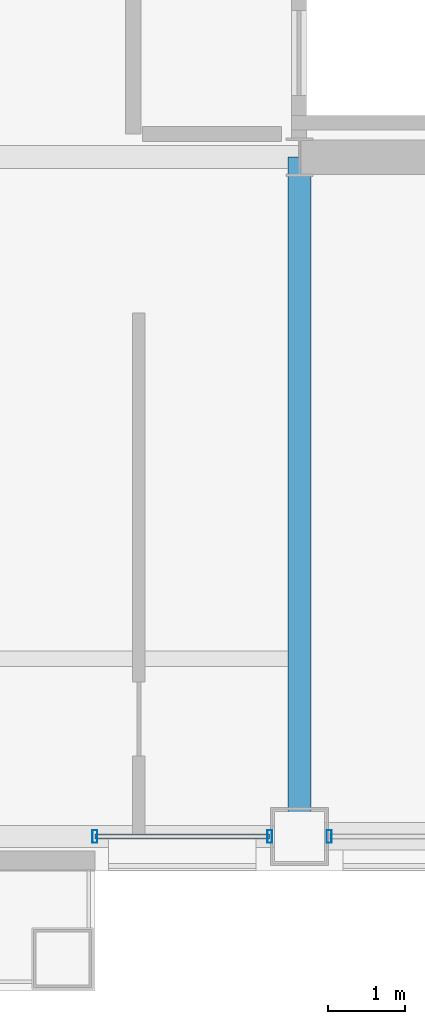
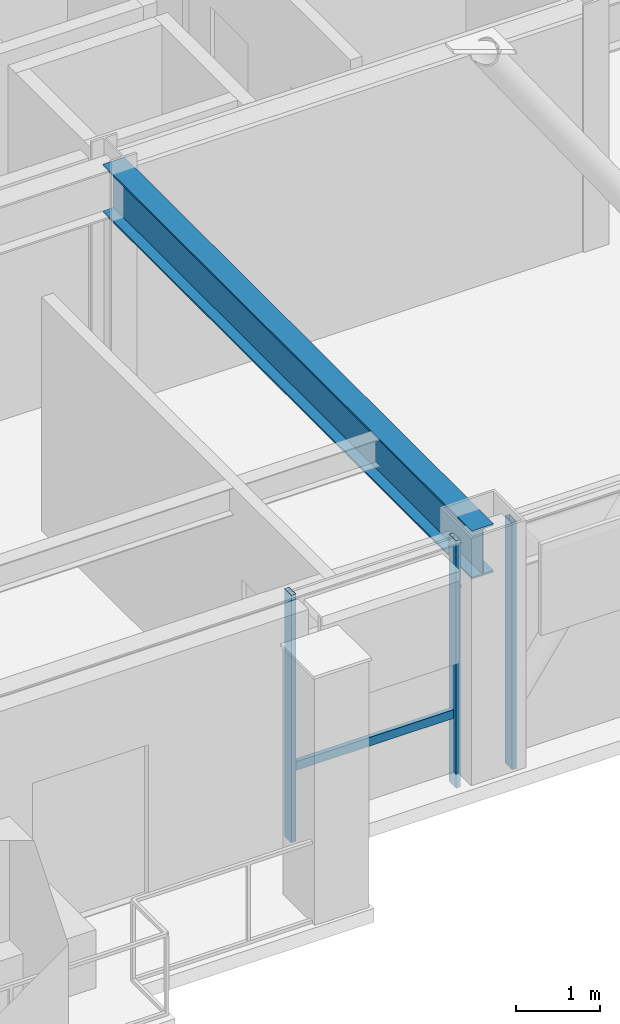
# One storey, part 9 of 32: 4 members, 1 beam, 2 elements without a shape of their own.
"""IFC4 building model written with IfcOpenShell, lengths in metres."""

from ifc_helpers import new_model, si_unit, direction, frame, origin, origin_2d, place, context, subcontext, project, spatial, hollow_rectangle, i_section, extrude, material, layer, layer_set, material_profile, profile_set, type_object, element, aggregate, save


model = new_model("IFC4")

# Units and contexts
model_context = context("Model", 3, precision=1e-05, world=origin(), true_north=direction((0.0, 1.0)))
body_context = subcontext(model_context, "Body", "Model", "MODEL_VIEW")
ifc_project = project(units=[si_unit("LENGTHUNIT", "METRE"), si_unit("AREAUNIT", "SQUARE_METRE"), si_unit("VOLUMEUNIT", "CUBIC_METRE"), si_unit("PLANEANGLEUNIT", "RADIAN"), si_unit("MASSUNIT", "GRAM", prefix="KILO")], contexts=[model_context])

# Site, building, storey
site_placement = place(None, origin())
site = spatial("IfcSite", under=ifc_project, at=site_placement, CompositionType="ELEMENT")
building_placement = place(site_placement, origin())
building = spatial("IfcBuilding", under=site, at=building_placement, Name="Brelmoor Portico Tower", CompositionType="ELEMENT")
storey_placement = place(building_placement, frame((0.0, 0.0, 162.300048828125)))
storey = spatial("IfcBuildingStorey", under=building, at=storey_placement, Name="L42", CompositionType="ELEMENT", Elevation=162.300048828125)

# Beam
ifc_material_1 = material(Name="Steel Q355B", Category="steel")
ifc_material_profile_1 = material_profile(ifc_material_1, i_section(OverallWidth=0.300048828125, OverallDepth=0.699951171875, WebThickness=0.012939453125, FlangeThickness=0.02392578125, at=origin_2d()), Name="HN 700x300x13x24")
ifc_profile_set_1 = profile_set([ifc_material_profile_1], Name="Steel Q355B")
beam_type = type_object("IfcBeamType", Name="BM-PG-700", PredefinedType="BEAM", material=ifc_profile_set_1)
beam_placement = place(storey_placement, frame((8.050048828125, -18.550048828125, 3.050048828125), z_axis=(0.0, 1.0, 0.0), x_axis=(-1.0, 0.0, 0.0)))
element("IfcBeam", 1, at=beam_placement, inside=storey, type_object=beam_type, Name="L42 Primary Floor Girder PG-06", PredefinedType="BEAM", context=body_context, shape_type="SweptSolid", body=[
    extrude(i_section(OverallWidth=0.300048828125, OverallDepth=0.699951171875, WebThickness=0.012939453125, FlangeThickness=0.02392578125, at=origin_2d()), origin(), (0.0, 0.0, 1.0), 8.800048828125),
])

# Curtain wall, members
ifc_material_2 = material(Name="Anodised Aluminium Alloy 6063-T6", Category="aluminium")
ifc_layer_1 = layer(ifc_material_2, 0.179931640625)
ifc_layer_set_1 = layer_set([ifc_layer_1], Name="Anodised Aluminium Alloy 6063-T6")
curtain_wall_type_1 = type_object("IfcCurtainWallType", Name="CW-TOWER-Z3", PredefinedType="NOTDEFINED", material=ifc_layer_set_1)
curtain_wall_1_placement = place(storey_placement, origin())
curtain_wall_1 = element("IfcCurtainWall", 2, at=curtain_wall_1_placement, inside=storey, type_object=curtain_wall_type_1, Name="L42 Curtain Wall CW-L42-1R-1", PredefinedType="NOTDEFINED")
ifc_material_profile_2 = material_profile(ifc_material_2, hollow_rectangle(XDim=0.06494140625, YDim=0.1650390625, WallThickness=0.00390625, at=origin_2d()), Name="ALU MULLION 65x165")
ifc_profile_set_2 = profile_set([ifc_material_profile_2], Name="Anodised Aluminium Alloy 6063-T6")
member_type_1 = type_object("IfcMemberType", Name="MB-CW-MULL-165", PredefinedType="MULLION", material=ifc_profile_set_2)
member_1_placement = place(storey_placement, frame((5.39990234375, -18.550048828125, -0.199951171875), z_axis=(0.0, 0.0, 1.0), x_axis=(1.0, 0.0, 0.0)))
member_1 = element("IfcMember", 3, at=member_1_placement, type_object=member_type_1, Name="CW-L42-1R-1 Mullion 00", PredefinedType="MULLION", context=body_context, shape_type="SweptSolid", body=[
    extrude(hollow_rectangle(XDim=0.06494140625, YDim=0.1650390625, WallThickness=0.00390625, at=origin_2d()), origin(), (0.0, 0.0, 1.0), 3.599853515625),
])
member_2_placement = place(storey_placement, frame((7.6650390625, -18.550048828125, -0.199951171875), z_axis=(0.0, 0.0, 1.0), x_axis=(1.0, 0.0, 0.0)))
member_2 = element("IfcMember", 4, at=member_2_placement, type_object=member_type_1, Name="CW-L42-1R-1 Mullion 01", PredefinedType="MULLION", context=body_context, shape_type="SweptSolid", body=[
    extrude(hollow_rectangle(XDim=0.06494140625, YDim=0.1650390625, WallThickness=0.00390625, at=origin_2d()), origin(), (0.0, 0.0, 1.0), 3.599853515625),
])

# Curtain wall, member
ifc_layer_2 = layer(ifc_material_2, 0.179931640625)
ifc_layer_set_2 = layer_set([ifc_layer_2], Name="Anodised Aluminium Alloy 6063-T6")
curtain_wall_type_2 = type_object("IfcCurtainWallType", Name="CW-TOWER-Z3-XB", PredefinedType="NOTDEFINED", material=ifc_layer_set_2)
curtain_wall_2_placement = place(storey_placement, origin())
curtain_wall_2 = element("IfcCurtainWall", 5, at=curtain_wall_2_placement, inside=storey, type_object=curtain_wall_type_2, Name="L42 Curtain Wall CW-L42-1R-2", PredefinedType="NOTDEFINED")
member_3_placement = place(storey_placement, frame((8.43505859375, -18.550048828125, -0.199951171875), z_axis=(0.0, 0.0, 1.0), x_axis=(1.0, 0.0, 0.0)))
member_3 = element("IfcMember", 6, at=member_3_placement, type_object=member_type_1, Name="CW-L42-1R-2 Mullion 00", PredefinedType="MULLION", context=body_context, shape_type="SweptSolid", body=[
    extrude(hollow_rectangle(XDim=0.06494140625, YDim=0.1650390625, WallThickness=0.00390625, at=origin_2d()), origin(), (0.0, 0.0, 1.0), 3.599853515625),
])
aggregate(curtain_wall_2, [member_3])

# Member
ifc_material_profile_3 = material_profile(ifc_material_2, hollow_rectangle(XDim=0.06005859375, YDim=0.125, WallThickness=0.00341796875, at=origin_2d()), Name="ALU TRANSOM 60x125")
ifc_profile_set_3 = profile_set([ifc_material_profile_3], Name="Anodised Aluminium Alloy 6063-T6")
member_type_2 = type_object("IfcMemberType", Name="MB-CW-TRAN-125", PredefinedType="USERDEFINED", material=ifc_profile_set_3)
member_4_placement = place(storey_placement, frame((5.39990234375, -18.550048828125, 0.849853515625), z_axis=(1.0, 0.0, 0.0), x_axis=(0.0, 1.0, 0.0)))
member_4 = element("IfcMember", 7, at=member_4_placement, type_object=member_type_2, Name="CW-L42-1R-1 Transom 1-00", ObjectType="TRANSOM", PredefinedType="USERDEFINED", context=body_context, shape_type="SweptSolid", body=[
    extrude(hollow_rectangle(XDim=0.06005859375, YDim=0.125, WallThickness=0.00341796875, at=origin_2d()), origin(), (0.0, 0.0, 1.0), 2.26513671875),
])

aggregate(curtain_wall_1, [member_1, member_2, member_4])

save(model, "model.ifc")
